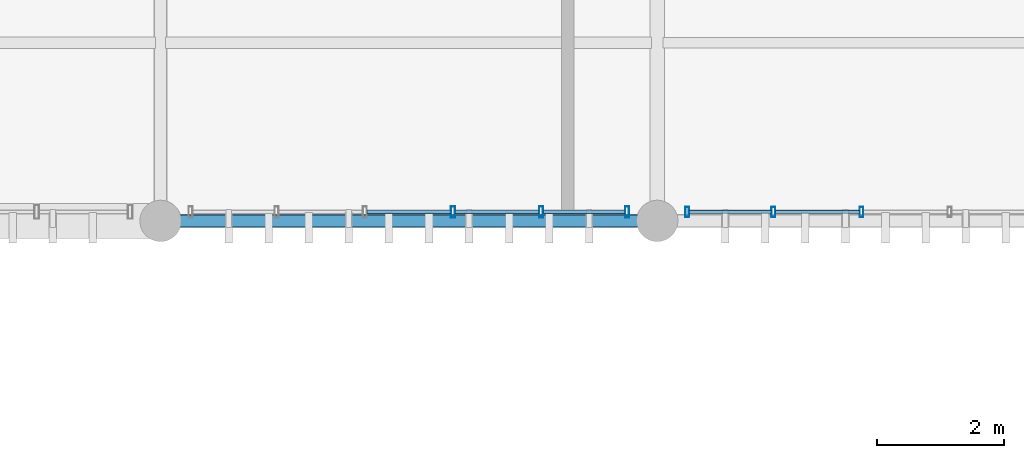
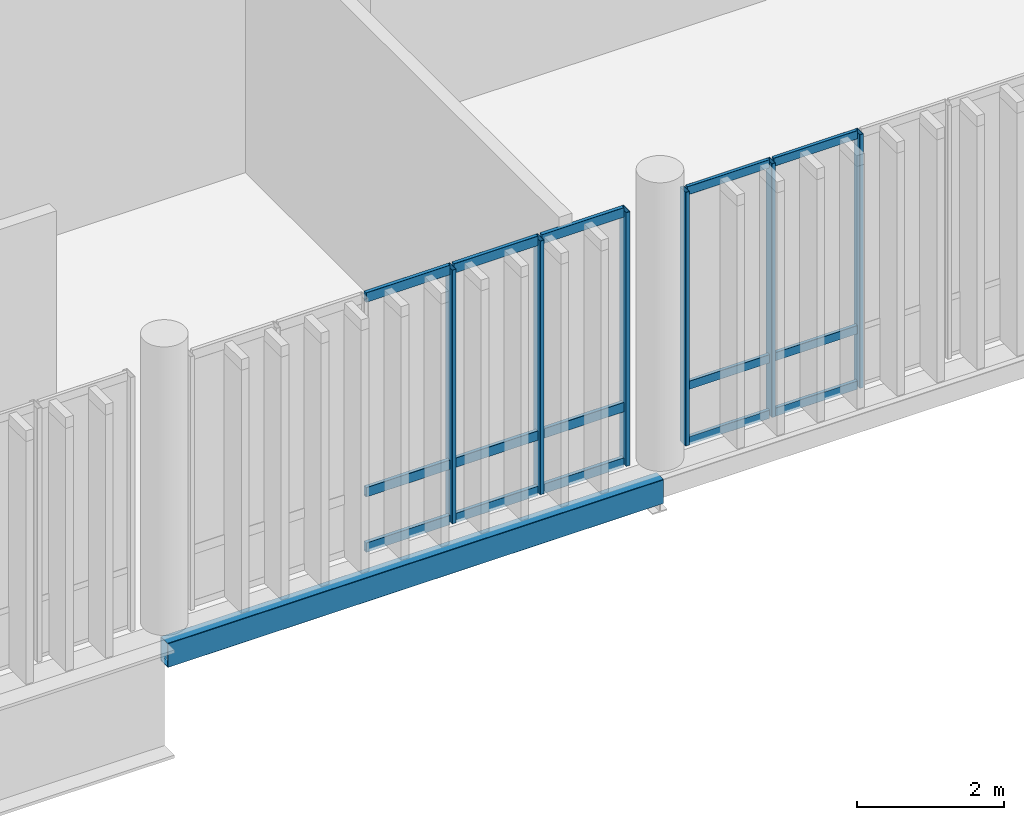
# One storey, part 40 of 81: 21 members, 1 beam, 2 elements without a shape of their own.
"""IFC4 building model written with IfcOpenShell, lengths in metres."""

from ifc_helpers import new_model, si_unit, direction, frame, origin_with_axes, origin_2d_with_axis, place, context, subcontext, project, spatial, hollow_rectangle, extrude, material, material_profile, profile_set, type_object, element, aggregate, save


model = new_model("IFC4")

# Units and contexts
model_context = context("Model", 3, precision=1e-05, world=origin_with_axes(), true_north=direction((0.0, 1.0)))
body_context = subcontext(model_context, "Body", "Model", "MODEL_VIEW")
ifc_project = project(units=[si_unit("LENGTHUNIT", "METRE"), si_unit("AREAUNIT", "SQUARE_METRE"), si_unit("VOLUMEUNIT", "CUBIC_METRE"), si_unit("PLANEANGLEUNIT", "RADIAN"), si_unit("MASSUNIT", "GRAM", prefix="KILO"), si_unit("THERMODYNAMICTEMPERATUREUNIT", "KELVIN")], contexts=[model_context])

# Site, building, storey
site_placement = place(None, origin_with_axes())
site = spatial("IfcSite", under=ifc_project, at=site_placement, CompositionType="ELEMENT")
building_placement = place(site_placement, origin_with_axes())
building = spatial("IfcBuilding", under=site, at=building_placement, Name="Montbau Bow Law Courts", CompositionType="ELEMENT")
storey_placement = place(building_placement, frame((0.0, 0.0, 24.9), z_axis=(0.0, 0.0, 1.0), x_axis=(1.0, 0.0, 0.0)))
storey = spatial("IfcBuildingStorey", under=building, at=storey_placement, Name="L05", CompositionType="ELEMENT", Elevation=24.9)

# Beam
ifc_material_1 = material(Name="Steel CSA G40.21 Grade 350WT (350 MPa)", Category="steel")
ifc_material_profile_1 = material_profile(ifc_material_1, hollow_rectangle(XDim=0.203, YDim=0.406, WallThickness=0.0127, InnerFilletRadius=0.0254, OuterFilletRadius=0.0127, at=origin_2d_with_axis()), Name="HSS406X203X13", Category="Main", Priority=0)
ifc_profile_set_1 = profile_set([ifc_material_profile_1], Name="Steel CSA G40.21 Grade 350WT (350 MPa)")
beam_type = type_object("IfcBeamType", Name="B-SPN-01", PredefinedType="SPANDREL", material=ifc_profile_set_1)
beam_placement = place(None, frame((147.0, 78.0, 24.397), z_axis=(1.0, 0.0, 0.0), x_axis=(0.0, 1.0, 0.0)))
element("IfcBeam", 1, at=beam_placement, inside=storey, type_object=beam_type, Name="SPN-L05-S1285:bm2_1288", PredefinedType="SPANDREL", context=body_context, shape_type="SweptSolid", body=[
    extrude(hollow_rectangle(XDim=0.203, YDim=0.406, WallThickness=0.0127, InnerFilletRadius=0.0254, OuterFilletRadius=0.0127, at=origin_2d_with_axis()), origin_with_axes(), (0.0, 0.0, 1.0), 7.8),
])

# Curtain wall, members
ifc_material_2 = material(Name="Thermally Broken Extruded Aluminium AA 6063-T6", Category="aluminium")
curtain_wall_type = type_object("IfcCurtainWallType", Name="CW-SLT-02", PredefinedType="NOTDEFINED", material=ifc_material_2)
curtain_wall_1_placement = place(None, frame((147.44, 78.14, 24.9), z_axis=(0.0, 0.0, 1.0), x_axis=(1.0, 0.0, 0.0)))
curtain_wall_1 = element("IfcCurtainWall", 2, at=curtain_wall_1_placement, inside=storey, type_object=curtain_wall_type, Name="CW-L05-334:cw_0334", PredefinedType="NOTDEFINED")
ifc_material_profile_2 = material_profile(ifc_material_2, hollow_rectangle(XDim=0.065, YDim=0.18, WallThickness=0.005, InnerFilletRadius=0.01, OuterFilletRadius=0.005, at=origin_2d_with_axis()), Name="CWM-180X65", Category="Main", Priority=0)
ifc_profile_set_2 = profile_set([ifc_material_profile_2], Name="Thermally Broken Extruded Aluminium AA 6063-T6")
member_type_1 = type_object("IfcMemberType", Name="M-MUL-02", PredefinedType="MULLION", material=ifc_profile_set_2)
member_1_placement = place(None, frame((151.592, 78.14, 24.9), z_axis=(0.0, 0.0, 1.0), x_axis=(1.0, 0.0, 0.0)))
member_1 = element("IfcMember", 3, at=member_1_placement, type_object=member_type_1, Name="CW-L05-334-M04:cw_0334_M04", PredefinedType="MULLION", context=body_context, shape_type="SweptSolid", body=[
    extrude(hollow_rectangle(XDim=0.065, YDim=0.18, WallThickness=0.005, InnerFilletRadius=0.01, OuterFilletRadius=0.005, at=origin_2d_with_axis()), origin_with_axes(), (0.0, 0.0, 1.0), 4.22),
])
member_2_placement = place(None, frame((152.976, 78.14, 24.9), z_axis=(0.0, 0.0, 1.0), x_axis=(1.0, 0.0, 0.0)))
member_2 = element("IfcMember", 4, at=member_2_placement, type_object=member_type_1, Name="CW-L05-334-M05:cw_0334_M05", PredefinedType="MULLION", context=body_context, shape_type="SweptSolid", body=[
    extrude(hollow_rectangle(XDim=0.065, YDim=0.18, WallThickness=0.005, InnerFilletRadius=0.01, OuterFilletRadius=0.005, at=origin_2d_with_axis()), origin_with_axes(), (0.0, 0.0, 1.0), 4.22),
])
member_3_placement = place(None, frame((154.328, 78.14, 24.9), z_axis=(0.0, 0.0, 1.0), x_axis=(1.0, 0.0, 0.0)))
member_3 = element("IfcMember", 5, at=member_3_placement, type_object=member_type_1, Name="CW-L05-334-M06:cw_0334_M06", PredefinedType="MULLION", context=body_context, shape_type="SweptSolid", body=[
    extrude(hollow_rectangle(XDim=0.065, YDim=0.18, WallThickness=0.005, InnerFilletRadius=0.01, OuterFilletRadius=0.005, at=origin_2d_with_axis()), origin_with_axes(), (0.0, 0.0, 1.0), 4.22),
])

curtain_wall_2_placement = place(None, frame((155.24, 78.14, 24.9), z_axis=(0.0, 0.0, 1.0), x_axis=(1.0, 0.0, 0.0)))
curtain_wall_2 = element("IfcCurtainWall", 6, at=curtain_wall_2_placement, inside=storey, type_object=curtain_wall_type, Name="CW-L05-335:cw_0335", PredefinedType="NOTDEFINED")
ifc_material_profile_3 = material_profile(ifc_material_2, hollow_rectangle(XDim=0.06, YDim=0.16, WallThickness=0.004, InnerFilletRadius=0.008, OuterFilletRadius=0.004, at=origin_2d_with_axis()), Name="CWM-160X60", Category="Main", Priority=0)
ifc_profile_set_3 = profile_set([ifc_material_profile_3], Name="Thermally Broken Extruded Aluminium AA 6063-T6")
member_type_2 = type_object("IfcMemberType", Name="M-MUL-03", PredefinedType="MULLION", material=ifc_profile_set_3)
member_4_placement = place(None, frame((155.27, 78.14, 24.9), z_axis=(0.0, 0.0, 1.0), x_axis=(1.0, 0.0, 0.0)))
member_4 = element("IfcMember", 7, at=member_4_placement, type_object=member_type_2, Name="CW-L05-335-M01:cw_0335_M01", PredefinedType="MULLION", context=body_context, shape_type="SweptSolid", body=[
    extrude(hollow_rectangle(XDim=0.06, YDim=0.16, WallThickness=0.004, InnerFilletRadius=0.008, OuterFilletRadius=0.004, at=origin_2d_with_axis()), origin_with_axes(), (0.0, 0.0, 1.0), 4.22),
])
member_5_placement = place(None, frame((156.624, 78.14, 24.9), z_axis=(0.0, 0.0, 1.0), x_axis=(1.0, 0.0, 0.0)))
member_5 = element("IfcMember", 8, at=member_5_placement, type_object=member_type_2, Name="CW-L05-335-M02:cw_0335_M02", PredefinedType="MULLION", context=body_context, shape_type="SweptSolid", body=[
    extrude(hollow_rectangle(XDim=0.06, YDim=0.16, WallThickness=0.004, InnerFilletRadius=0.008, OuterFilletRadius=0.004, at=origin_2d_with_axis()), origin_with_axes(), (0.0, 0.0, 1.0), 4.22),
])
member_6_placement = place(None, frame((158.008, 78.14, 24.9), z_axis=(0.0, 0.0, 1.0), x_axis=(1.0, 0.0, 0.0)))
member_6 = element("IfcMember", 9, at=member_6_placement, type_object=member_type_2, Name="CW-L05-335-M03:cw_0335_M03", PredefinedType="MULLION", context=body_context, shape_type="SweptSolid", body=[
    extrude(hollow_rectangle(XDim=0.06, YDim=0.16, WallThickness=0.004, InnerFilletRadius=0.008, OuterFilletRadius=0.004, at=origin_2d_with_axis()), origin_with_axes(), (0.0, 0.0, 1.0), 4.22),
])

# Member
ifc_material_profile_4 = material_profile(ifc_material_2, hollow_rectangle(XDim=0.06, YDim=0.16, WallThickness=0.004, InnerFilletRadius=0.008, OuterFilletRadius=0.004, at=origin_2d_with_axis()), Name="CWT-160X60", Category="Main", Priority=0)
ifc_profile_set_4 = profile_set([ifc_material_profile_4], Name="Thermally Broken Extruded Aluminium AA 6063-T6")
member_type_3 = type_object("IfcMemberType", Name="M-TRN-01", PredefinedType="USERDEFINED", material=ifc_profile_set_4)
member_7_placement = place(None, frame((150.242, 78.14, 24.93), z_axis=(1.0, 0.0, 0.0), x_axis=(0.0, 1.0, 0.0)))
member_7 = element("IfcMember", 10, at=member_7_placement, type_object=member_type_3, Name="CW-L05-334-T03-1:cw_0334_T03_1", ObjectType="TRANSOM", PredefinedType="USERDEFINED", context=body_context, shape_type="SweptSolid", body=[
    extrude(hollow_rectangle(XDim=0.06, YDim=0.16, WallThickness=0.004, InnerFilletRadius=0.008, OuterFilletRadius=0.004, at=origin_2d_with_axis()), origin_with_axes(), (0.0, 0.0, 1.0), 1.316),
])

member_8_placement = place(None, frame((150.242, 78.14, 25.85), z_axis=(1.0, 0.0, 0.0), x_axis=(0.0, 1.0, 0.0)))
member_8 = element("IfcMember", 11, at=member_8_placement, type_object=member_type_3, Name="CW-L05-334-T03-2:cw_0334_T03_2", ObjectType="TRANSOM", PredefinedType="USERDEFINED", context=body_context, shape_type="SweptSolid", body=[
    extrude(hollow_rectangle(XDim=0.06, YDim=0.16, WallThickness=0.004, InnerFilletRadius=0.008, OuterFilletRadius=0.004, at=origin_2d_with_axis()), origin_with_axes(), (0.0, 0.0, 1.0), 1.316),
])

member_9_placement = place(None, frame((150.242, 78.14, 29.09), z_axis=(1.0, 0.0, 0.0), x_axis=(0.0, 1.0, 0.0)))
member_9 = element("IfcMember", 12, at=member_9_placement, type_object=member_type_3, Name="CW-L05-334-T03-3:cw_0334_T03_3", ObjectType="TRANSOM", PredefinedType="USERDEFINED", context=body_context, shape_type="SweptSolid", body=[
    extrude(hollow_rectangle(XDim=0.06, YDim=0.16, WallThickness=0.004, InnerFilletRadius=0.008, OuterFilletRadius=0.004, at=origin_2d_with_axis()), origin_with_axes(), (0.0, 0.0, 1.0), 1.316),
])

member_10_placement = place(None, frame((151.626, 78.14, 24.93), z_axis=(1.0, 0.0, 0.0), x_axis=(0.0, 1.0, 0.0)))
member_10 = element("IfcMember", 13, at=member_10_placement, type_object=member_type_3, Name="CW-L05-334-T04-1:cw_0334_T04_1", ObjectType="TRANSOM", PredefinedType="USERDEFINED", context=body_context, shape_type="SweptSolid", body=[
    extrude(hollow_rectangle(XDim=0.06, YDim=0.16, WallThickness=0.004, InnerFilletRadius=0.008, OuterFilletRadius=0.004, at=origin_2d_with_axis()), origin_with_axes(), (0.0, 0.0, 1.0), 1.316),
])

member_11_placement = place(None, frame((151.626, 78.14, 25.85), z_axis=(1.0, 0.0, 0.0), x_axis=(0.0, 1.0, 0.0)))
member_11 = element("IfcMember", 14, at=member_11_placement, type_object=member_type_3, Name="CW-L05-334-T04-2:cw_0334_T04_2", ObjectType="TRANSOM", PredefinedType="USERDEFINED", context=body_context, shape_type="SweptSolid", body=[
    extrude(hollow_rectangle(XDim=0.06, YDim=0.16, WallThickness=0.004, InnerFilletRadius=0.008, OuterFilletRadius=0.004, at=origin_2d_with_axis()), origin_with_axes(), (0.0, 0.0, 1.0), 1.316),
])

member_12_placement = place(None, frame((151.626, 78.14, 29.09), z_axis=(1.0, 0.0, 0.0), x_axis=(0.0, 1.0, 0.0)))
member_12 = element("IfcMember", 15, at=member_12_placement, type_object=member_type_3, Name="CW-L05-334-T04-3:cw_0334_T04_3", ObjectType="TRANSOM", PredefinedType="USERDEFINED", context=body_context, shape_type="SweptSolid", body=[
    extrude(hollow_rectangle(XDim=0.06, YDim=0.16, WallThickness=0.004, InnerFilletRadius=0.008, OuterFilletRadius=0.004, at=origin_2d_with_axis()), origin_with_axes(), (0.0, 0.0, 1.0), 1.316),
])

member_13_placement = place(None, frame((153.01, 78.14, 24.93), z_axis=(1.0, 0.0, 0.0), x_axis=(0.0, 1.0, 0.0)))
member_13 = element("IfcMember", 16, at=member_13_placement, type_object=member_type_3, Name="CW-L05-334-T05-1:cw_0334_T05_1", ObjectType="TRANSOM", PredefinedType="USERDEFINED", context=body_context, shape_type="SweptSolid", body=[
    extrude(hollow_rectangle(XDim=0.06, YDim=0.16, WallThickness=0.004, InnerFilletRadius=0.008, OuterFilletRadius=0.004, at=origin_2d_with_axis()), origin_with_axes(), (0.0, 0.0, 1.0), 1.284),
])

member_14_placement = place(None, frame((153.01, 78.14, 25.85), z_axis=(1.0, 0.0, 0.0), x_axis=(0.0, 1.0, 0.0)))
member_14 = element("IfcMember", 17, at=member_14_placement, type_object=member_type_3, Name="CW-L05-334-T05-2:cw_0334_T05_2", ObjectType="TRANSOM", PredefinedType="USERDEFINED", context=body_context, shape_type="SweptSolid", body=[
    extrude(hollow_rectangle(XDim=0.06, YDim=0.16, WallThickness=0.004, InnerFilletRadius=0.008, OuterFilletRadius=0.004, at=origin_2d_with_axis()), origin_with_axes(), (0.0, 0.0, 1.0), 1.284),
])

member_15_placement = place(None, frame((153.01, 78.14, 29.09), z_axis=(1.0, 0.0, 0.0), x_axis=(0.0, 1.0, 0.0)))
member_15 = element("IfcMember", 18, at=member_15_placement, type_object=member_type_3, Name="CW-L05-334-T05-3:cw_0334_T05_3", ObjectType="TRANSOM", PredefinedType="USERDEFINED", context=body_context, shape_type="SweptSolid", body=[
    extrude(hollow_rectangle(XDim=0.06, YDim=0.16, WallThickness=0.004, InnerFilletRadius=0.008, OuterFilletRadius=0.004, at=origin_2d_with_axis()), origin_with_axes(), (0.0, 0.0, 1.0), 1.284),
])

aggregate(curtain_wall_1, [member_1, member_2, member_3, member_7, member_8, member_9, member_10, member_11, member_12, member_13, member_14, member_15])

ifc_material_profile_5 = material_profile(ifc_material_2, hollow_rectangle(XDim=0.055, YDim=0.14, WallThickness=0.004, InnerFilletRadius=0.008, OuterFilletRadius=0.004, at=origin_2d_with_axis()), Name="CWT-140X55", Category="Main", Priority=0)
ifc_profile_set_5 = profile_set([ifc_material_profile_5], Name="Thermally Broken Extruded Aluminium AA 6063-T6")
member_type_4 = type_object("IfcMemberType", Name="M-TRN-02", PredefinedType="USERDEFINED", material=ifc_profile_set_5)
member_16_placement = place(None, frame((155.302, 78.14, 24.927), z_axis=(1.0, 0.0, 0.0), x_axis=(0.0, 1.0, 0.0)))
member_16 = element("IfcMember", 19, at=member_16_placement, type_object=member_type_4, Name="CW-L05-335-T01-1:cw_0335_T01_1", ObjectType="TRANSOM", PredefinedType="USERDEFINED", context=body_context, shape_type="SweptSolid", body=[
    extrude(hollow_rectangle(XDim=0.055, YDim=0.14, WallThickness=0.004, InnerFilletRadius=0.008, OuterFilletRadius=0.004, at=origin_2d_with_axis()), origin_with_axes(), (0.0, 0.0, 1.0), 1.29),
])

member_17_placement = place(None, frame((155.302, 78.14, 25.85), z_axis=(1.0, 0.0, 0.0), x_axis=(0.0, 1.0, 0.0)))
member_17 = element("IfcMember", 20, at=member_17_placement, type_object=member_type_4, Name="CW-L05-335-T01-2:cw_0335_T01_2", ObjectType="TRANSOM", PredefinedType="USERDEFINED", context=body_context, shape_type="SweptSolid", body=[
    extrude(hollow_rectangle(XDim=0.055, YDim=0.14, WallThickness=0.004, InnerFilletRadius=0.008, OuterFilletRadius=0.004, at=origin_2d_with_axis()), origin_with_axes(), (0.0, 0.0, 1.0), 1.29),
])

member_18_placement = place(None, frame((155.302, 78.14, 29.093), z_axis=(1.0, 0.0, 0.0), x_axis=(0.0, 1.0, 0.0)))
member_18 = element("IfcMember", 21, at=member_18_placement, type_object=member_type_4, Name="CW-L05-335-T01-3:cw_0335_T01_3", ObjectType="TRANSOM", PredefinedType="USERDEFINED", context=body_context, shape_type="SweptSolid", body=[
    extrude(hollow_rectangle(XDim=0.055, YDim=0.14, WallThickness=0.004, InnerFilletRadius=0.008, OuterFilletRadius=0.004, at=origin_2d_with_axis()), origin_with_axes(), (0.0, 0.0, 1.0), 1.29),
])

member_19_placement = place(None, frame((156.656, 78.14, 24.927), z_axis=(1.0, 0.0, 0.0), x_axis=(0.0, 1.0, 0.0)))
member_19 = element("IfcMember", 22, at=member_19_placement, type_object=member_type_4, Name="CW-L05-335-T02-1:cw_0335_T02_1", ObjectType="TRANSOM", PredefinedType="USERDEFINED", context=body_context, shape_type="SweptSolid", body=[
    extrude(hollow_rectangle(XDim=0.055, YDim=0.14, WallThickness=0.004, InnerFilletRadius=0.008, OuterFilletRadius=0.004, at=origin_2d_with_axis()), origin_with_axes(), (0.0, 0.0, 1.0), 1.32),
])

member_20_placement = place(None, frame((156.656, 78.14, 25.85), z_axis=(1.0, 0.0, 0.0), x_axis=(0.0, 1.0, 0.0)))
member_20 = element("IfcMember", 23, at=member_20_placement, type_object=member_type_4, Name="CW-L05-335-T02-2:cw_0335_T02_2", ObjectType="TRANSOM", PredefinedType="USERDEFINED", context=body_context, shape_type="SweptSolid", body=[
    extrude(hollow_rectangle(XDim=0.055, YDim=0.14, WallThickness=0.004, InnerFilletRadius=0.008, OuterFilletRadius=0.004, at=origin_2d_with_axis()), origin_with_axes(), (0.0, 0.0, 1.0), 1.32),
])

member_21_placement = place(None, frame((156.656, 78.14, 29.093), z_axis=(1.0, 0.0, 0.0), x_axis=(0.0, 1.0, 0.0)))
member_21 = element("IfcMember", 24, at=member_21_placement, type_object=member_type_4, Name="CW-L05-335-T02-3:cw_0335_T02_3", ObjectType="TRANSOM", PredefinedType="USERDEFINED", context=body_context, shape_type="SweptSolid", body=[
    extrude(hollow_rectangle(XDim=0.055, YDim=0.14, WallThickness=0.004, InnerFilletRadius=0.008, OuterFilletRadius=0.004, at=origin_2d_with_axis()), origin_with_axes(), (0.0, 0.0, 1.0), 1.32),
])

aggregate(curtain_wall_2, [member_4, member_5, member_6, member_16, member_17, member_18, member_19, member_20, member_21])

save(model, "model.ifc")
